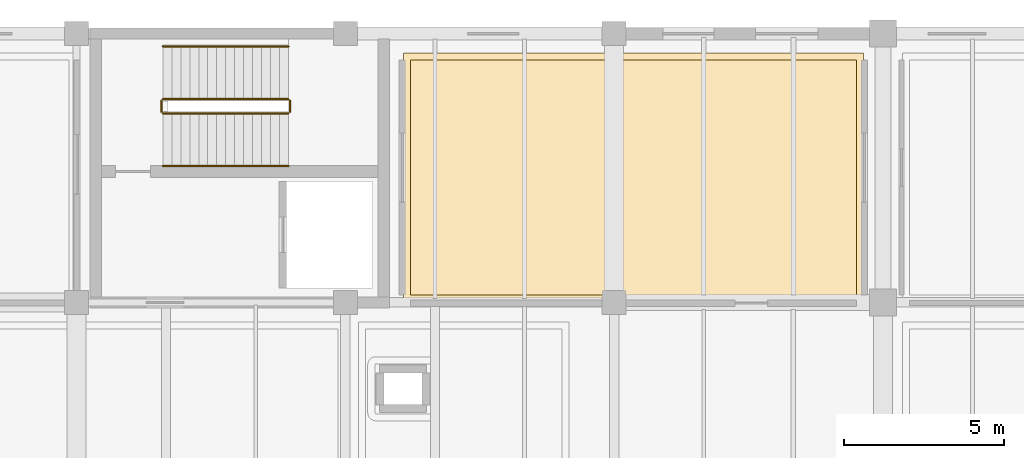
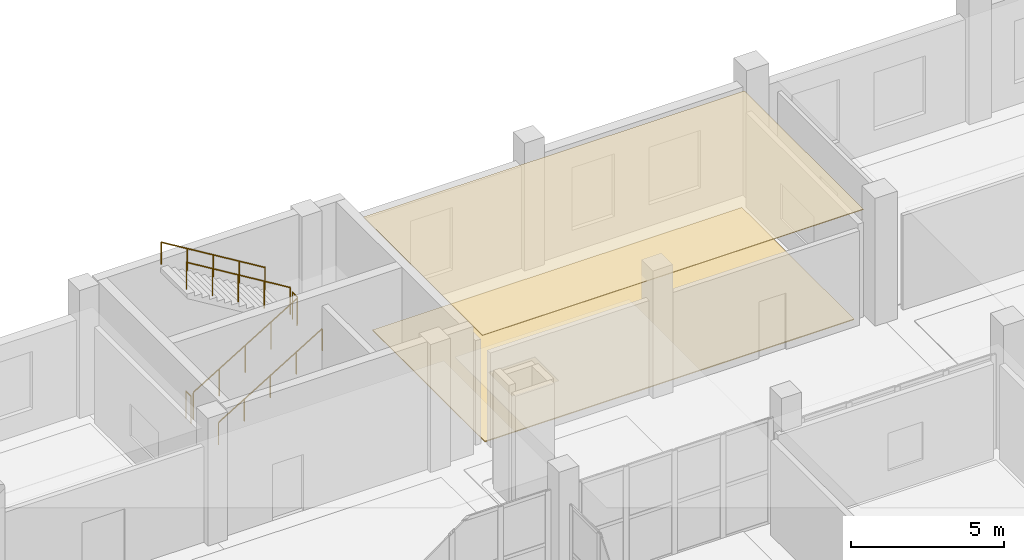
# One storey, part 64 of 66: 6 railings, 2 coverings.
"""IFC4 building model written with IfcOpenShell, lengths in metres."""

from ifc_helpers import new_model, si_unit, direction, frame, origin, origin_2d, place, context, subcontext, project, spatial, polyline, circle, outline, extrude, material, layer, layer_set, type_object, element, save


model = new_model("IFC4")

# Units and contexts
model_context = context("Model", 3, precision=1e-05, world=origin(), true_north=direction((0.0, 1.0)))
body_context = subcontext(model_context, "Body", "Model", "MODEL_VIEW")
ifc_project = project(units=[si_unit("LENGTHUNIT", "METRE"), si_unit("AREAUNIT", "SQUARE_METRE"), si_unit("VOLUMEUNIT", "CUBIC_METRE"), si_unit("PLANEANGLEUNIT", "RADIAN"), si_unit("MASSUNIT", "GRAM", prefix="KILO")], contexts=[model_context])

# Site, building, storey
site_placement = place(None, origin())
site = spatial("IfcSite", under=ifc_project, at=site_placement, CompositionType="ELEMENT")
building_placement = place(site_placement, origin())
building = spatial("IfcBuilding", under=site, at=building_placement, Name="Zulmaris Art Gallery", CompositionType="ELEMENT")
storey_placement = place(building_placement, frame((0.0, 0.0, 5.39990234375)))
storey = spatial("IfcBuildingStorey", under=building, at=storey_placement, Name="L01", CompositionType="ELEMENT", Elevation=5.39990234375)

# Coverings
ifc_material_1 = material(Name="Luminous UV-Diffusing Stretched Gallery Ceiling", Category="gypsum")
ifc_layer_1 = layer(ifc_material_1, 0.034912109375)
ifc_layer_set_1 = layer_set([ifc_layer_1], Name="Luminous UV-Diffusing Stretched Gallery Ceiling")
covering_type_1 = type_object("IfcCoveringType", Name="COV-CL02", PredefinedType="CEILING", material=ifc_layer_set_1)
covering_1_placement = place(storey_placement, frame((0.0, 0.0, 4.4501953125)))
element("IfcCovering", 1, at=covering_1_placement, inside=storey, type_object=covering_type_1, Name="Textile & Woven Heritage Gallery acoustic ceiling", PredefinedType="CEILING", context=body_context, shape_type="SweptSolid", body=[
    extrude(outline(polyline([(126.610107421875, 74.989990234375), (140.989990234375, 74.989990234375), (140.989990234375, 67.2099609375), (126.610107421875, 67.2099609375), (126.610107421875, 74.989990234375)])), origin(), (0.0, 0.0, 1.0), 0.02978515625),
])
ifc_material_2 = material(Name="Oiled European Oak Gallery Parquet Flooring", Category="timber")
ifc_layer_2 = layer(ifc_material_2, 0.030029296875)
ifc_layer_set_2 = layer_set([ifc_layer_2], Name="Oiled European Oak Gallery Parquet Flooring")
covering_type_2 = type_object("IfcCoveringType", Name="COV-FL02", PredefinedType="FLOORING", material=ifc_layer_set_2)
covering_2_placement = place(storey_placement, origin())
element("IfcCovering", 2, at=covering_2_placement, inside=storey, type_object=covering_type_2, Name="Textile & Woven Heritage Gallery finish flooring", PredefinedType="FLOORING", context=body_context, shape_type="SweptSolid", body=[
    extrude(outline(polyline([(140.77001953125, 67.429931640625), (126.830078125, 67.429931640625), (126.830078125, 74.77001953125), (140.77001953125, 74.77001953125), (140.77001953125, 67.429931640625)])), origin(), (0.0, 0.0, 1.0), 0.03515625),
])

# Railings
ifc_material_3 = material(Name="Steel S355J2", Category="steel")
ifc_layer_3 = layer(ifc_material_3, 0.050048828125)
ifc_layer_set_3 = layer_set([ifc_layer_3], Name="Steel S355J2")
railing_type_1 = type_object("IfcRailingType", Name="RAIL-STGRD", PredefinedType="GUARDRAIL", material=ifc_layer_set_3)
railing_1_placement = place(storey_placement, frame((119.10009765625, 73.110107421875, 0.170166015625)))
element("IfcRailing", 3, at=railing_1_placement, inside=storey, type_object=railing_type_1, Name="L01 ST5 stair guard 1", PredefinedType="GUARDRAIL", context=body_context, shape_type="SweptSolid", body=[
    extrude(circle(Radius=0.02392578125, at=origin_2d()), frame((0.0, 0.0, 1.076171875), z_axis=(0.854794262968, 0.0, 0.518967020143), x_axis=(0.0, 1.0, 0.0)), (0.0, 0.0, 1.0), 4.585693359375),
    extrude(circle(Radius=0.02099609375, at=origin_2d()), origin(), (0.0, 0.0, 1.0), 1.052001953125),
    extrude(circle(Radius=0.02099609375, at=origin_2d()), frame((0.97998046875, 0.0, 0.594970703125)), (0.0, 0.0, 1.0), 1.052001953125),
    extrude(circle(Radius=0.02099609375, at=origin_2d()), frame((1.9599609375, 0.0, 1.18994140625)), (0.0, 0.0, 1.0), 1.052001953125),
    extrude(circle(Radius=0.02099609375, at=origin_2d()), frame((2.93994140625, 0.0, 1.784912109375)), (0.0, 0.0, 1.0), 1.052001953125),
    extrude(circle(Radius=0.02099609375, at=origin_2d()), frame((3.919921875, 0.0, 2.3798828125)), (0.0, 0.0, 1.0), 1.052001953125),
])
railing_2_placement = place(storey_placement, frame((123.070068359375, 73.159912109375, 2.550048828125)))
element("IfcRailing", 4, at=railing_2_placement, inside=storey, type_object=railing_type_1, Name="L01 ST5 stair guard 2", PredefinedType="GUARDRAIL", context=body_context, shape_type="SweptSolid", body=[
    extrude(circle(Radius=0.02392578125, at=origin_2d()), frame((0.0, 0.0, 1.076171875), z_axis=(0.0, 1.0, 0.0), x_axis=(-1.0, 0.0, 0.0)), (0.0, 0.0, 1.0), 0.340087890625),
    extrude(circle(Radius=0.02099609375, at=origin_2d()), origin(), (0.0, 0.0, 1.0), 1.052001953125),
    extrude(circle(Radius=0.02099609375, at=origin_2d()), frame((0.0, 0.340087890625, 0.0)), (0.0, 0.0, 1.0), 1.052001953125),
])
railing_3_placement = place(storey_placement, frame((123.02001953125, 73.550048828125, 2.72021484375)))
element("IfcRailing", 5, at=railing_3_placement, inside=storey, type_object=railing_type_1, Name="L01 ST5 stair guard 3", PredefinedType="GUARDRAIL", context=body_context, shape_type="SweptSolid", body=[
    extrude(circle(Radius=0.02392578125, at=origin_2d()), frame((0.0, 0.0, 1.076171875), z_axis=(-0.854794262968, 0.0, 0.518967020143), x_axis=(0.0, -1.0, 0.0)), (0.0, 0.0, 1.0), 4.585693359375),
    extrude(circle(Radius=0.02099609375, at=origin_2d()), origin(), (0.0, 0.0, 1.0), 1.052001953125),
    extrude(circle(Radius=0.02099609375, at=origin_2d()), frame((-0.97998046875, 0.0, 0.594970703125)), (0.0, 0.0, 1.0), 1.052001953125),
    extrude(circle(Radius=0.02099609375, at=origin_2d()), frame((-1.9599609375, 0.0, 1.18994140625)), (0.0, 0.0, 1.0), 1.052001953125),
    extrude(circle(Radius=0.02099609375, at=origin_2d()), frame((-2.93994140625, 0.0, 1.784912109375)), (0.0, 0.0, 1.0), 1.052001953125),
    extrude(circle(Radius=0.02099609375, at=origin_2d()), frame((-3.919921875, 0.0, 2.3798828125)), (0.0, 0.0, 1.0), 1.052001953125),
])
railing_4_placement = place(storey_placement, frame((119.050048828125, 73.159912109375, 0.0)))
element("IfcRailing", 6, at=railing_4_placement, inside=storey, type_object=railing_type_1, Name="L01 ST5 stair guard 4", PredefinedType="GUARDRAIL", context=body_context, shape_type="SweptSolid", body=[
    extrude(circle(Radius=0.02392578125, at=origin_2d()), frame((0.0, 0.0, 1.076171875), z_axis=(0.0, 1.0, 0.0), x_axis=(-1.0, 0.0, 0.0)), (0.0, 0.0, 1.0), 0.340087890625),
    extrude(circle(Radius=0.02099609375, at=origin_2d()), origin(), (0.0, 0.0, 1.0), 1.052001953125),
    extrude(circle(Radius=0.02099609375, at=origin_2d()), frame((0.0, 0.340087890625, 0.0)), (0.0, 0.0, 1.0), 1.052001953125),
])
ifc_material_4 = material(Name="Brushed Bronze Handrail", Category="steel")
ifc_layer_4 = layer(ifc_material_4, 0.048095703125)
ifc_layer_set_4 = layer_set([ifc_layer_4], Name="Brushed Bronze Handrail")
railing_type_2 = type_object("IfcRailingType", Name="RAIL-STHND", PredefinedType="HANDRAIL", material=ifc_layer_set_4)
railing_5_placement = place(storey_placement, frame((119.10009765625, 71.4599609375, 0.170166015625)))
element("IfcRailing", 7, at=railing_5_placement, inside=storey, type_object=railing_type_2, Name="L01 ST5 stair handrail 1", PredefinedType="HANDRAIL", context=body_context, shape_type="SweptSolid", body=[
    extrude(circle(Radius=0.02392578125, at=origin_2d()), frame((0.0, 0.0, 0.8759765625), z_axis=(0.854794262968, 0.0, 0.518967020143), x_axis=(0.0, 1.0, 0.0)), (0.0, 0.0, 1.0), 4.585693359375),
    extrude(circle(Radius=0.02099609375, at=origin_2d()), origin(), (0.0, 0.0, 1.0), 0.851806640625),
    extrude(circle(Radius=0.02099609375, at=origin_2d()), frame((0.97998046875, 0.0, 0.594970703125)), (0.0, 0.0, 1.0), 0.851806640625),
    extrude(circle(Radius=0.02099609375, at=origin_2d()), frame((1.9599609375, 0.0, 1.18994140625)), (0.0, 0.0, 1.0), 0.851806640625),
    extrude(circle(Radius=0.02099609375, at=origin_2d()), frame((2.93994140625, 0.0, 1.784912109375)), (0.0, 0.0, 1.0), 0.851806640625),
    extrude(circle(Radius=0.02099609375, at=origin_2d()), frame((3.919921875, 0.0, 2.3798828125)), (0.0, 0.0, 1.0), 0.851806640625),
])
railing_6_placement = place(storey_placement, frame((123.02001953125, 75.199951171875, 2.72021484375)))
element("IfcRailing", 8, at=railing_6_placement, inside=storey, type_object=railing_type_2, Name="L01 ST5 stair handrail 2", PredefinedType="HANDRAIL", context=body_context, shape_type="SweptSolid", body=[
    extrude(circle(Radius=0.02392578125, at=origin_2d()), frame((0.0, 0.0, 0.8759765625), z_axis=(-0.854794262968, 0.0, 0.518967020143), x_axis=(0.0, -1.0, 0.0)), (0.0, 0.0, 1.0), 4.585693359375),
    extrude(circle(Radius=0.02099609375, at=origin_2d()), origin(), (0.0, 0.0, 1.0), 0.851806640625),
    extrude(circle(Radius=0.02099609375, at=origin_2d()), frame((-0.97998046875, 0.0, 0.594970703125)), (0.0, 0.0, 1.0), 0.851806640625),
    extrude(circle(Radius=0.02099609375, at=origin_2d()), frame((-1.9599609375, 0.0, 1.18994140625)), (0.0, 0.0, 1.0), 0.851806640625),
    extrude(circle(Radius=0.02099609375, at=origin_2d()), frame((-2.93994140625, 0.0, 1.784912109375)), (0.0, 0.0, 1.0), 0.851806640625),
    extrude(circle(Radius=0.02099609375, at=origin_2d()), frame((-3.919921875, 0.0, 2.3798828125)), (0.0, 0.0, 1.0), 0.851806640625),
])

save(model, "model.ifc")
